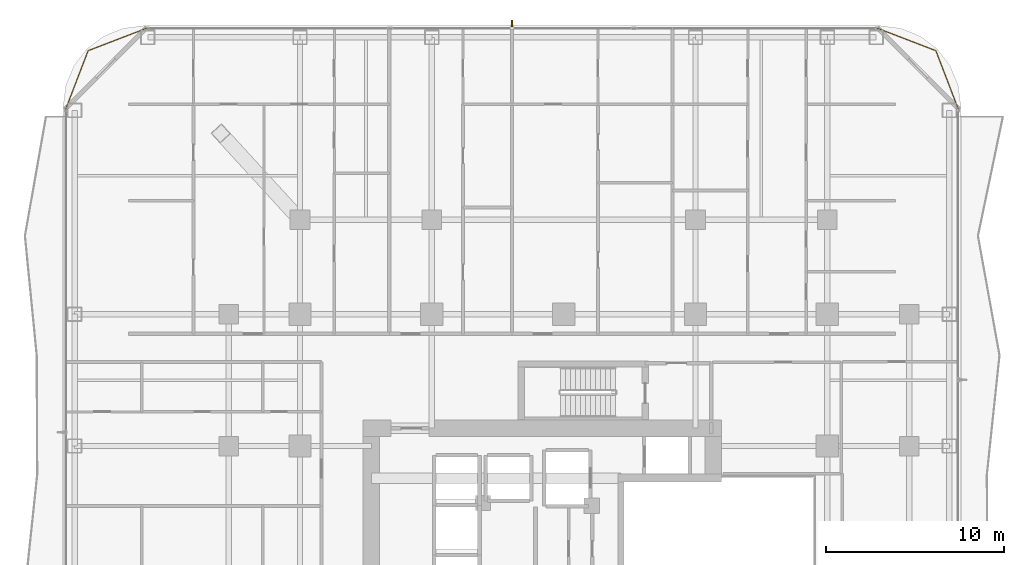
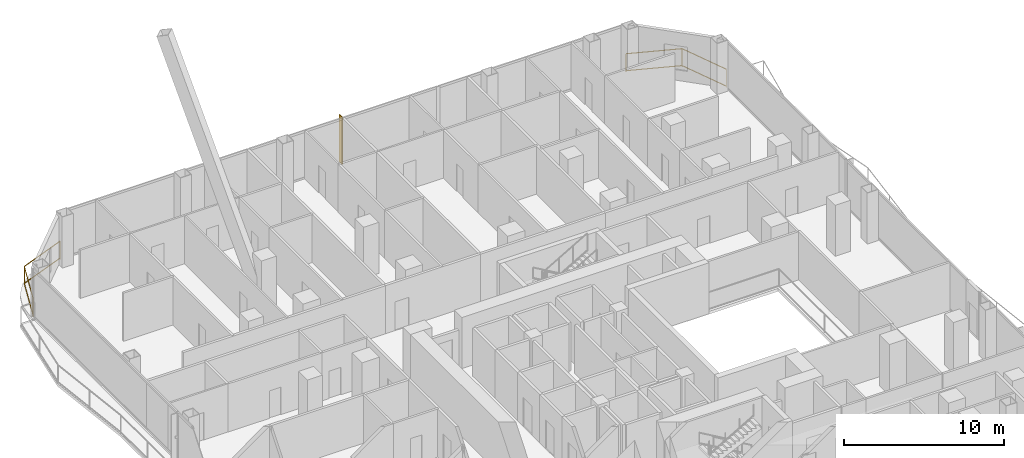
# One storey, part 28 of 28: 2 railings, 1 shading device.
"""IFC4 building model written with IfcOpenShell, lengths in metres."""

from ifc_helpers import new_model, si_unit, direction, frame, origin, origin_2d, place, context, subcontext, project, spatial, rectangle, extrude, material, layer, layer_set, type_object, element, save


model = new_model("IFC4")

# Units and contexts
model_context = context("Model", 3, precision=1e-05, world=origin(), true_north=direction((0.0, 1.0)))
body_context = subcontext(model_context, "Body", "Model", "MODEL_VIEW")
ifc_project = project(units=[si_unit("LENGTHUNIT", "METRE"), si_unit("AREAUNIT", "SQUARE_METRE"), si_unit("VOLUMEUNIT", "CUBIC_METRE"), si_unit("PLANEANGLEUNIT", "RADIAN"), si_unit("MASSUNIT", "GRAM", prefix="KILO")], contexts=[model_context])

# Site, building, storey
site_placement = place(None, origin())
site = spatial("IfcSite", under=ifc_project, at=site_placement, CompositionType="ELEMENT")
building_placement = place(site_placement, origin())
building = spatial("IfcBuilding", under=site, at=building_placement, Name="Khorvyn Point Tower", CompositionType="ELEMENT")
storey_placement = place(building_placement, frame((0.0, 0.0, 89.10009765625)))
storey = spatial("IfcBuildingStorey", under=building, at=storey_placement, Name="L22", CompositionType="ELEMENT", Elevation=89.10009765625)

# Shading device
ifc_material_1 = material(Name="Bronze anodised aluminium 6063-T6", Category="aluminium")
ifc_layer = layer(ifc_material_1, 0.06494140625)
ifc_layer_set = layer_set([ifc_layer], Name="Bronze Anodised Aluminium FIN 380x65")
shading_device_type = type_object("IfcShadingDeviceType", Name="Bronze Anodised Aluminium FIN 380x65", PredefinedType="USERDEFINED", material=ifc_layer_set)
shading_device_placement = place(storey_placement, frame((-2.89990234375, 31.1298828125, 0.039794921875), z_axis=(0.0, 0.0, 1.0), x_axis=(0.0, 1.0, 0.0)))
element("IfcShadingDevice", 1, at=shading_device_placement, inside=storey, type_object=shading_device_type, Name="L22 Anodised FIN 01", ObjectType="FIN", PredefinedType="USERDEFINED", context=body_context, shape_type="SweptSolid", body=[
    extrude(rectangle(XDim=0.3798828125, YDim=0.06494140625, at=origin_2d()), origin(), (0.0, 0.0, 1.0), 3.60009765625),
])

# Railings
ifc_material_2 = material(Name="Anodised aluminium 6063-T6 and laminated safety glass", Category="aluminium")
railing_type = type_object("IfcRailingType", Name="Laminated Glass and Aluminium Balcony Guardrail 1400", PredefinedType="BALUSTRADE", material=ifc_material_2)
railing_1_placement = place(storey_placement, frame((-23.370849609375, 30.8740234375, 0.0)))
element("IfcRailing", 2, at=railing_1_placement, inside=storey, type_object=railing_type, Name="L22 Rounded Corner Edge Guardrail NW", PredefinedType="BALUSTRADE", context=body_context, shape_type="SweptSolid", body=[
    extrude(rectangle(XDim=0.048095703125, YDim=0.048095703125, at=origin_2d()), frame((0.0, 0.0, 1.3759765625), z_axis=(-0.933575007025, -0.358382067435, 0.0), x_axis=(0.358382067435, -0.933575007025, 0.0)), (0.0, 0.0, 1.0), 3.562744140625),
    extrude(rectangle(XDim=0.048095703125, YDim=0.048095703125, at=origin_2d()), frame((0.0, 0.0, 0.080078125), z_axis=(-0.933575007025, -0.358382067435, 0.0), x_axis=(0.358382067435, -0.933575007025, 0.0)), (0.0, 0.0, 1.0), 3.562744140625),
    extrude(rectangle(XDim=0.048095703125, YDim=0.048095703125, at=origin_2d()), frame((-3.326171875, -1.27685546875, 1.3759765625), z_axis=(-0.35841886047, -0.933560882031, 0.0), x_axis=(0.933560882031, -0.35841886047, 0.0)), (0.0, 0.0, 1.0), 3.563232421875),
    extrude(rectangle(XDim=0.048095703125, YDim=0.048095703125, at=origin_2d()), frame((-3.326171875, -1.27685546875, 0.080078125), z_axis=(-0.35841886047, -0.933560882031, 0.0), x_axis=(0.933560882031, -0.35841886047, 0.0)), (0.0, 0.0, 1.0), 3.563232421875),
    extrude(rectangle(XDim=0.0419921875, YDim=0.0419921875, at=origin_2d()), origin(), (0.0, 0.0, 1.0), 1.351806640625),
    extrude(rectangle(XDim=0.0419921875, YDim=0.0419921875, at=origin_2d()), frame((-3.326171875, -1.27685546875, 0.0)), (0.0, 0.0, 1.0), 1.351806640625),
    extrude(rectangle(XDim=0.0419921875, YDim=0.0419921875, at=origin_2d()), frame((-4.603271484375, -4.603271484375, 0.0)), (0.0, 0.0, 1.0), 1.351806640625),
])
railing_2_placement = place(storey_placement, frame((22.174072265625, 26.270751953125, 0.0)))
element("IfcRailing", 3, at=railing_2_placement, inside=storey, type_object=railing_type, Name="L22 Rounded Corner Edge Guardrail NE", PredefinedType="BALUSTRADE", context=body_context, shape_type="SweptSolid", body=[
    extrude(rectangle(XDim=0.048095703125, YDim=0.048095703125, at=origin_2d()), frame((0.0, 0.0, 1.3759765625), z_axis=(-0.358359142172, 0.933583807283, 0.0), x_axis=(-0.933583807283, -0.358359142172, 0.0)), (0.0, 0.0, 1.0), 3.56298828125),
    extrude(rectangle(XDim=0.048095703125, YDim=0.048095703125, at=origin_2d()), frame((0.0, 0.0, 0.080078125), z_axis=(-0.358359142172, 0.933583807283, 0.0), x_axis=(-0.933583807283, -0.358359142172, 0.0)), (0.0, 0.0, 1.0), 3.56298828125),
    extrude(rectangle(XDim=0.048095703125, YDim=0.048095703125, at=origin_2d()), frame((-1.27685546875, 3.326416015625, 1.3759765625), z_axis=(-0.933583807283, 0.358359142172, 0.0), x_axis=(-0.358359142172, -0.933583807283, 0.0)), (0.0, 0.0, 1.0), 3.56298828125),
    extrude(rectangle(XDim=0.048095703125, YDim=0.048095703125, at=origin_2d()), frame((-1.27685546875, 3.326416015625, 0.080078125), z_axis=(-0.933583807283, 0.358359142172, 0.0), x_axis=(-0.358359142172, -0.933583807283, 0.0)), (0.0, 0.0, 1.0), 3.56298828125),
    extrude(rectangle(XDim=0.0419921875, YDim=0.0419921875, at=origin_2d()), origin(), (0.0, 0.0, 1.0), 1.351806640625),
    extrude(rectangle(XDim=0.0419921875, YDim=0.0419921875, at=origin_2d()), frame((-1.27685546875, 3.326416015625, 0.0)), (0.0, 0.0, 1.0), 1.351806640625),
    extrude(rectangle(XDim=0.0419921875, YDim=0.0419921875, at=origin_2d()), frame((-4.603271484375, 4.603271484375, 0.0)), (0.0, 0.0, 1.0), 1.351806640625),
])

save(model, "model.ifc")
